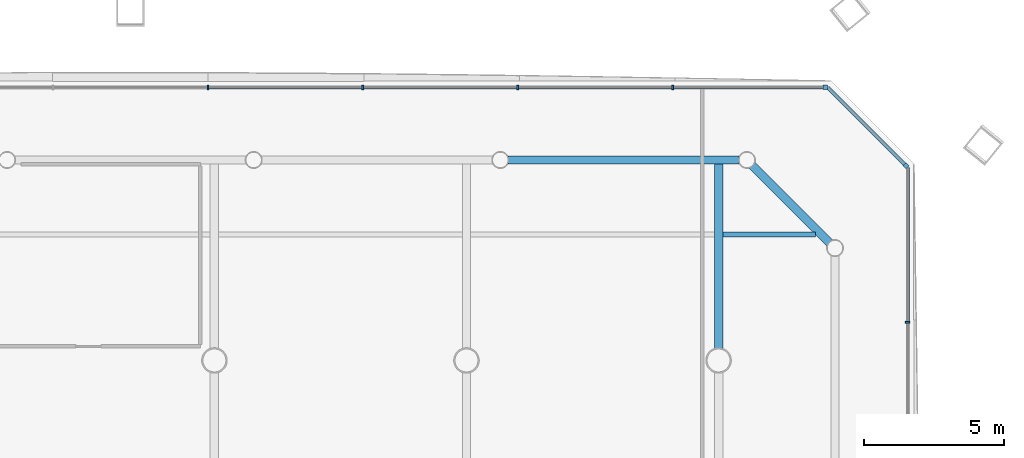
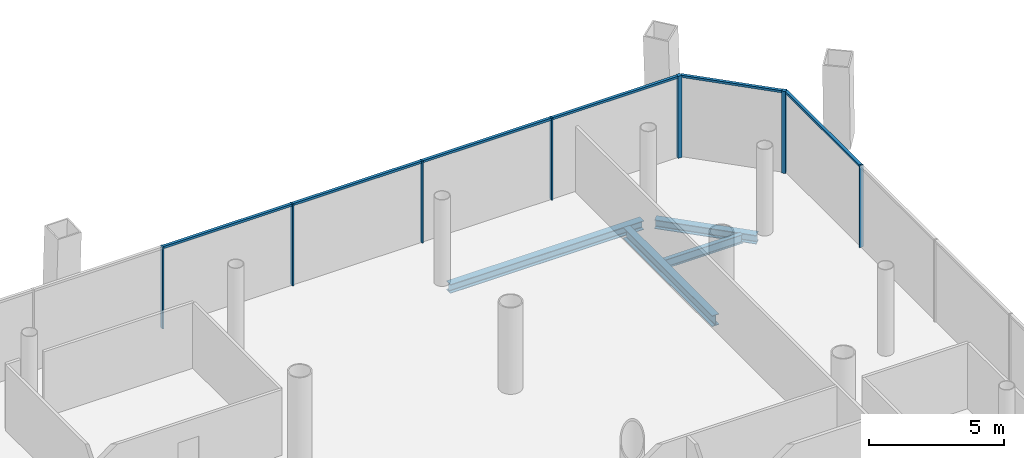
# One storey, part 12 of 22: 13 members, 4 beams, 3 elements without a shape of their own.
"""IFC4 building model written with IfcOpenShell, lengths in metres."""

from ifc_helpers import new_model, si_unit, direction, frame, origin, origin_2d, place, context, subcontext, project, spatial, rectangle, i_section, extrude, material, material_profile, profile_set, type_object, element, aggregate, save


model = new_model("IFC4")

# Units and contexts
model_context = context("Model", 3, precision=1e-05, world=origin(), true_north=direction((0.0, 1.0)))
body_context = subcontext(model_context, "Body", "Model", "MODEL_VIEW")
ifc_project = project(units=[si_unit("LENGTHUNIT", "METRE"), si_unit("AREAUNIT", "SQUARE_METRE"), si_unit("VOLUMEUNIT", "CUBIC_METRE"), si_unit("PLANEANGLEUNIT", "RADIAN"), si_unit("MASSUNIT", "GRAM", prefix="KILO")], contexts=[model_context])

# Site, building, storey
site_placement = place(None, origin())
site = spatial("IfcSite", under=ifc_project, at=site_placement, CompositionType="ELEMENT")
building_placement = place(site_placement, origin())
building = spatial("IfcBuilding", under=site, at=building_placement, Name="Tskaro Facet Tower", CompositionType="ELEMENT")
storey_placement = place(building_placement, frame((0.0, 0.0, 18.60009765625)))
storey = spatial("IfcBuildingStorey", under=building, at=storey_placement, Name="L03", CompositionType="ELEMENT", Elevation=18.60009765625)

# Curtain wall, member
ifc_material_1 = material(Name="Bronze anodised aluminium 6063-T6", Category="aluminium")
curtain_wall_type = type_object("IfcCurtainWallType", Name="Bronze office curtain wall (FW1)", PredefinedType="NOTDEFINED", material=ifc_material_1)
curtain_wall_1_placement = place(storey_placement, origin())
curtain_wall_1 = element("IfcCurtainWall", 1, at=curtain_wall_1_placement, inside=storey, type_object=curtain_wall_type, Name="FW1 north-east facet L03", PredefinedType="NOTDEFINED")
ifc_material_profile_1 = material_profile(ifc_material_1, rectangle(XDim=0.159912109375, YDim=0.159912109375, at=origin_2d()), Name="Corner post 160x160")
ifc_profile_set_1 = profile_set([ifc_material_profile_1], Name="Bronze anodised aluminium 6063-T6")
member_type_1 = type_object("IfcMemberType", Name="FW1 bronze corner post 160x160", PredefinedType="MULLION", material=ifc_profile_set_1)
member_1_placement = place(storey_placement, frame((24.693359375, 24.95263671875, 0.0), z_axis=(0.0, 0.0, 1.0), x_axis=(-0.707106781187, 0.707106781187, 0.0)))
member_1 = element("IfcMember", 2, at=member_1_placement, type_object=member_type_1, Name="FW1 north-east corner post", PredefinedType="MULLION", context=body_context, shape_type="SweptSolid", body=[
    extrude(rectangle(XDim=0.159912109375, YDim=0.159912109375, at=origin_2d()), origin(), (0.0, 0.0, 1.0), 3.699951171875),
])

curtain_wall_2_placement = place(storey_placement, origin())
curtain_wall_2 = element("IfcCurtainWall", 3, at=curtain_wall_2_placement, inside=storey, type_object=curtain_wall_type, Name="FW1 north facet L03", PredefinedType="NOTDEFINED")
member_2_placement = place(storey_placement, frame((21.81591796875, 27.75, 0.0), z_axis=(0.0, 0.0, 1.0), x_axis=(-1.0, 0.0, 0.0)))
member_2 = element("IfcMember", 4, at=member_2_placement, type_object=member_type_1, Name="FW1 north corner post", PredefinedType="MULLION", context=body_context, shape_type="SweptSolid", body=[
    extrude(rectangle(XDim=0.159912109375, YDim=0.159912109375, at=origin_2d()), origin(), (0.0, 0.0, 1.0), 3.699951171875),
])

curtain_wall_3_placement = place(storey_placement, origin())
curtain_wall_3 = element("IfcCurtainWall", 5, at=curtain_wall_3_placement, inside=storey, type_object=curtain_wall_type, Name="FW1 east facet L03", PredefinedType="NOTDEFINED")
ifc_material_profile_2 = material_profile(ifc_material_1, rectangle(XDim=0.06005859375, YDim=0.159912109375, at=origin_2d()), Name="Mullion 60x160")
ifc_profile_set_2 = profile_set([ifc_material_profile_2], Name="Bronze anodised aluminium 6063-T6")
member_type_2 = type_object("IfcMemberType", Name="FW1 bronze mullion 60x160", PredefinedType="MULLION", material=ifc_profile_set_2)
member_3_placement = place(storey_placement, frame((24.75, 19.363525390625, 0.0), z_axis=(0.0, 0.0, 1.0), x_axis=(0.0, 1.0, 0.0)))
member_3 = element("IfcMember", 6, at=member_3_placement, type_object=member_type_2, Name="FW1 east mullion 8", PredefinedType="MULLION", context=body_context, shape_type="SweptSolid", body=[
    extrude(rectangle(XDim=0.06005859375, YDim=0.159912109375, at=origin_2d()), origin(), (0.0, 0.0, 1.0), 3.699951171875),
])

# Member
member_4_placement = place(storey_placement, frame((16.363525390625, 27.75, 0.0), z_axis=(0.0, 0.0, 1.0), x_axis=(-1.0, 0.0, 0.0)))
member_4 = element("IfcMember", 7, at=member_4_placement, type_object=member_type_2, Name="FW1 north mullion 1", PredefinedType="MULLION", context=body_context, shape_type="SweptSolid", body=[
    extrude(rectangle(XDim=0.06005859375, YDim=0.159912109375, at=origin_2d()), origin(), (0.0, 0.0, 1.0), 3.699951171875),
])

member_5_placement = place(storey_placement, frame((10.8310546875, 27.75, 0.0), z_axis=(0.0, 0.0, 1.0), x_axis=(-1.0, 0.0, 0.0)))
member_5 = element("IfcMember", 8, at=member_5_placement, type_object=member_type_2, Name="FW1 north mullion 2", PredefinedType="MULLION", context=body_context, shape_type="SweptSolid", body=[
    extrude(rectangle(XDim=0.06005859375, YDim=0.159912109375, at=origin_2d()), origin(), (0.0, 0.0, 1.0), 3.699951171875),
])

member_6_placement = place(storey_placement, frame((5.298583984375, 27.75, 0.0), z_axis=(0.0, 0.0, 1.0), x_axis=(-1.0, 0.0, 0.0)))
member_6 = element("IfcMember", 9, at=member_6_placement, type_object=member_type_2, Name="FW1 north mullion 3", PredefinedType="MULLION", context=body_context, shape_type="SweptSolid", body=[
    extrude(rectangle(XDim=0.06005859375, YDim=0.159912109375, at=origin_2d()), origin(), (0.0, 0.0, 1.0), 3.699951171875),
])

member_7_placement = place(storey_placement, frame((-0.23388671875, 27.75, 0.0), z_axis=(0.0, 0.0, 1.0), x_axis=(-1.0, 0.0, 0.0)))
member_7 = element("IfcMember", 10, at=member_7_placement, type_object=member_type_2, Name="FW1 north mullion 4", PredefinedType="MULLION", context=body_context, shape_type="SweptSolid", body=[
    extrude(rectangle(XDim=0.06005859375, YDim=0.159912109375, at=origin_2d()), origin(), (0.0, 0.0, 1.0), 3.699951171875),
])

ifc_material_profile_3 = material_profile(ifc_material_1, rectangle(XDim=0.1201171875, YDim=0.10009765625, at=origin_2d()), Name="Transom 120x100")
ifc_profile_set_3 = profile_set([ifc_material_profile_3], Name="Bronze anodised aluminium 6063-T6")
member_type_3 = type_object("IfcMemberType", Name="FW1 bronze transom 120x100", PredefinedType="USERDEFINED", material=ifc_profile_set_3)
member_8_placement = place(storey_placement, frame((24.75, 19.3935546875, 3.64990234375), z_axis=(0.0, 1.0, 0.0), x_axis=(-1.0, 0.0, 0.0)))
member_8 = element("IfcMember", 11, at=member_8_placement, type_object=member_type_3, Name="FW1 east transom 9.1", ObjectType="TRANSOM", PredefinedType="USERDEFINED", context=body_context, shape_type="SweptSolid", body=[
    extrude(rectangle(XDim=0.1201171875, YDim=0.10009765625, at=origin_2d()), origin(), (0.0, 0.0, 1.0), 5.50244140625),
])

aggregate(curtain_wall_3, [member_3, member_8])

member_9_placement = place(storey_placement, frame((24.636962890625, 25.009033203125, 3.64990234375), z_axis=(-0.707106781187, 0.707106781187, 0.0), x_axis=(-0.707106781187, -0.707106781187, 0.0)))
member_9 = element("IfcMember", 12, at=member_9_placement, type_object=member_type_3, Name="FW1 north-east transom 1.1", ObjectType="TRANSOM", PredefinedType="USERDEFINED", context=body_context, shape_type="SweptSolid", body=[
    extrude(rectangle(XDim=0.1201171875, YDim=0.10009765625, at=origin_2d()), origin(), (0.0, 0.0, 1.0), 3.876220703125),
])

aggregate(curtain_wall_1, [member_1, member_9])

member_10_placement = place(storey_placement, frame((21.736083984375, 27.75, 3.64990234375), z_axis=(-1.0, 0.0, 0.0), x_axis=(0.0, -1.0, 0.0)))
member_10 = element("IfcMember", 13, at=member_10_placement, type_object=member_type_3, Name="FW1 north transom 1.1", ObjectType="TRANSOM", PredefinedType="USERDEFINED", context=body_context, shape_type="SweptSolid", body=[
    extrude(rectangle(XDim=0.1201171875, YDim=0.10009765625, at=origin_2d()), origin(), (0.0, 0.0, 1.0), 5.342529296875),
])

member_11_placement = place(storey_placement, frame((16.33349609375, 27.75, 3.64990234375), z_axis=(-1.0, 0.0, 0.0), x_axis=(0.0, -1.0, 0.0)))
member_11 = element("IfcMember", 14, at=member_11_placement, type_object=member_type_3, Name="FW1 north transom 2.1", ObjectType="TRANSOM", PredefinedType="USERDEFINED", context=body_context, shape_type="SweptSolid", body=[
    extrude(rectangle(XDim=0.1201171875, YDim=0.10009765625, at=origin_2d()), origin(), (0.0, 0.0, 1.0), 5.472412109375),
])

member_12_placement = place(storey_placement, frame((10.801025390625, 27.75, 3.64990234375), z_axis=(-1.0, 0.0, 0.0), x_axis=(0.0, -1.0, 0.0)))
member_12 = element("IfcMember", 15, at=member_12_placement, type_object=member_type_3, Name="FW1 north transom 3.1", ObjectType="TRANSOM", PredefinedType="USERDEFINED", context=body_context, shape_type="SweptSolid", body=[
    extrude(rectangle(XDim=0.1201171875, YDim=0.10009765625, at=origin_2d()), origin(), (0.0, 0.0, 1.0), 5.472412109375),
])

member_13_placement = place(storey_placement, frame((5.2685546875, 27.75, 3.64990234375), z_axis=(-1.0, 0.0, 0.0), x_axis=(0.0, -1.0, 0.0)))
member_13 = element("IfcMember", 16, at=member_13_placement, type_object=member_type_3, Name="FW1 north transom 4.1", ObjectType="TRANSOM", PredefinedType="USERDEFINED", context=body_context, shape_type="SweptSolid", body=[
    extrude(rectangle(XDim=0.1201171875, YDim=0.10009765625, at=origin_2d()), origin(), (0.0, 0.0, 1.0), 5.472412109375),
])

aggregate(curtain_wall_2, [member_2, member_4, member_5, member_6, member_7, member_10, member_11, member_12, member_13])

# Beams
ifc_material_2 = material(Name="Steel S355J2", Category="steel")
ifc_material_profile_4 = material_profile(ifc_material_2, i_section(OverallWidth=0.300048828125, OverallDepth=0.39990234375, WebThickness=0.013427734375, FlangeThickness=0.02392578125, FilletRadius=0.027099609375, at=origin_2d()), Name="HE 400 B")
ifc_profile_set_4 = profile_set([ifc_material_profile_4], Name="Steel S355J2")
beam_type_1 = type_object("IfcBeamType", Name="HE 400 B ring beam", PredefinedType="BEAM", material=ifc_profile_set_4)
beam_1_placement = place(storey_placement, frame((21.962646484375, 22.20654296875, -0.340087890625), z_axis=(-0.707106781187, 0.707106781187, 0.0), x_axis=(-0.707106781187, -0.707106781187, 0.0)))
element("IfcBeam", 17, at=beam_1_placement, inside=storey, type_object=beam_type_1, Name="HE 400 B EB13-1", PredefinedType="BEAM", context=body_context, shape_type="SweptSolid", body=[
    extrude(i_section(OverallWidth=0.300048828125, OverallDepth=0.39990234375, WebThickness=0.013427734375, FlangeThickness=0.02392578125, FilletRadius=0.027099609375, at=origin_2d()), origin(), (0.0, 0.0, 1.0), 3.897705078125),
])
beam_2_placement = place(storey_placement, frame((18.737060546875, 25.156982421875, -0.340087890625), z_axis=(-1.0, 0.0, 0.0), x_axis=(0.0, -1.0, 0.0)))
element("IfcBeam", 18, at=beam_2_placement, inside=storey, type_object=beam_type_1, Name="HE 400 B EB14-1", PredefinedType="BEAM", context=body_context, shape_type="SweptSolid", body=[
    extrude(i_section(OverallWidth=0.300048828125, OverallDepth=0.39990234375, WebThickness=0.013427734375, FlangeThickness=0.02392578125, FilletRadius=0.027099609375, at=origin_2d()), origin(), (0.0, 0.0, 1.0), 8.255126953125),
])
ifc_material_profile_5 = material_profile(ifc_material_2, i_section(OverallWidth=0.300048828125, OverallDepth=0.489990234375, WebThickness=0.011962890625, FlangeThickness=0.02294921875, FilletRadius=0.027099609375, at=origin_2d()), Name="HE 500 A")
ifc_profile_set_5 = profile_set([ifc_material_profile_5], Name="Steel S355J2")
beam_type_2 = type_object("IfcBeamType", Name="HE 500 A girder", PredefinedType="BEAM", material=ifc_profile_set_5)
beam_3_placement = place(storey_placement, frame((18.0, 18.42724609375, -0.385009765625), z_axis=(0.0, 1.0, 0.0), x_axis=(-1.0, 0.0, 0.0)))
element("IfcBeam", 19, at=beam_3_placement, inside=storey, type_object=beam_type_2, Name="HE 500 A GB6-6-1", PredefinedType="BEAM", context=body_context, shape_type="SweptSolid", body=[
    extrude(i_section(OverallWidth=0.300048828125, OverallDepth=0.489990234375, WebThickness=0.011962890625, FlangeThickness=0.02294921875, FilletRadius=0.027099609375, at=origin_2d()), origin(), (0.0, 0.0, 1.0), 6.579833984375),
])
ifc_material_profile_6 = material_profile(ifc_material_2, i_section(OverallWidth=0.179931640625, OverallDepth=0.39990234375, WebThickness=0.008544921875, FlangeThickness=0.013427734375, FilletRadius=0.02099609375, at=origin_2d()), Name="IPE 400")
ifc_profile_set_6 = profile_set([ifc_material_profile_6], Name="Steel S355J2")
beam_type_3 = type_object("IfcBeamType", Name="IPE 400 secondary beam", PredefinedType="BEAM", material=ifc_profile_set_6)
beam_4_placement = place(storey_placement, frame((18.14990234375, 22.5, -0.340087890625), z_axis=(1.0, 0.0, 0.0), x_axis=(0.0, 1.0, 0.0)))
element("IfcBeam", 20, at=beam_4_placement, inside=storey, type_object=beam_type_3, Name="IPE 400 SB6a-6-1", PredefinedType="BEAM", context=body_context, shape_type="SweptSolid", body=[
    extrude(i_section(OverallWidth=0.179931640625, OverallDepth=0.39990234375, WebThickness=0.008544921875, FlangeThickness=0.013427734375, FilletRadius=0.02099609375, at=origin_2d()), origin(), (0.0, 0.0, 1.0), 3.30712890625),
])

save(model, "model.ifc")
